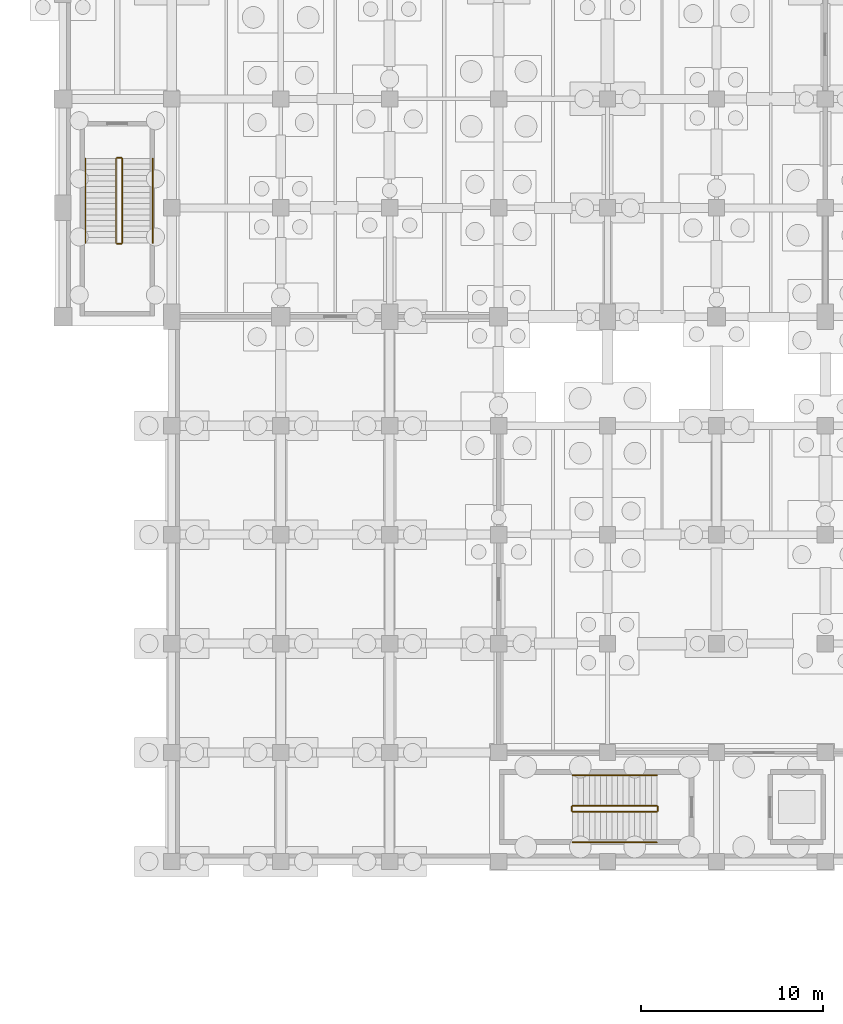
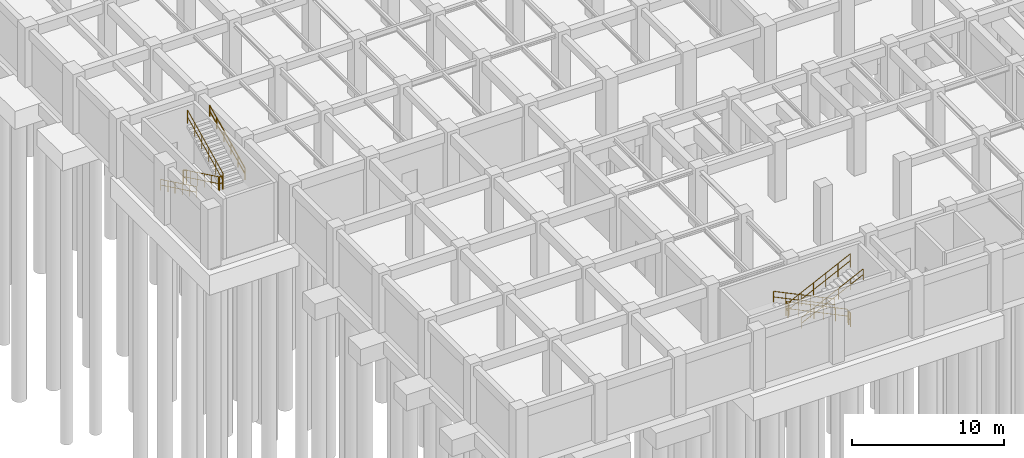
# One storey, part 48 of 54: 12 railings.
"""IFC4 building model written with IfcOpenShell, lengths in metres."""

from ifc_helpers import new_model, si_unit, direction, frame, origin, origin_2d, place, context, subcontext, project, spatial, circle, extrude, material, type_object, element, save


model = new_model("IFC4")

# Units and contexts
model_context = context("Model", 3, precision=1e-05, world=origin(), true_north=direction((0.0, 1.0)))
body_context = subcontext(model_context, "Body", "Model", "MODEL_VIEW")
ifc_project = project(units=[si_unit("LENGTHUNIT", "METRE"), si_unit("AREAUNIT", "SQUARE_METRE"), si_unit("VOLUMEUNIT", "CUBIC_METRE"), si_unit("PLANEANGLEUNIT", "RADIAN"), si_unit("MASSUNIT", "GRAM", prefix="KILO"), si_unit("THERMODYNAMICTEMPERATUREUNIT", "KELVIN"), si_unit("POWERUNIT", "WATT")], contexts=[model_context])

# Site, building, storey
site_placement = place(None, origin())
site = spatial("IfcSite", under=ifc_project, at=site_placement, CompositionType="ELEMENT")
building_placement = place(site_placement, origin())
building = spatial("IfcBuilding", under=site, at=building_placement, Name="Phaisarnlok Congress Hotel", CompositionType="ELEMENT")
storey_placement = place(building_placement, frame((0.0, 0.0, -4.800048828125)))
storey = spatial("IfcBuildingStorey", under=building, at=storey_placement, Name="B01", CompositionType="ELEMENT", Elevation=-4.800048828125)

# Railings
ifc_material_1 = material(Name="Painted Galvanised Steel S275", Category="steel")
railing_type_1 = type_object("IfcRailingType", Name="RLG-STR-GUARD", PredefinedType="BALUSTRADE", material=ifc_material_1)
railing_1_placement = place(storey_placement, frame((2.929931640625, 50.719970703125, 0.150146484375)))
element("IfcRailing", 1, at=railing_1_placement, inside=storey, type_object=railing_type_1, Name="B01 ST-03 stair guard 1", PredefinedType="BALUSTRADE", context=body_context, shape_type="SweptSolid", body=[
    extrude(circle(Radius=0.02392578125, at=origin_2d()), frame((0.0, 0.0, 1.076171875), z_axis=(0.0, -0.900155664878, 0.435568340204), x_axis=(1.0, 0.0, 0.0)), (0.0, 0.0, 1.0), 5.165771484375),
    extrude(circle(Radius=0.02392578125, at=origin_2d()), frame((0.0, 0.0, 0.52587890625), z_axis=(0.0, -0.900155664878, 0.435568340204), x_axis=(1.0, 0.0, 0.0)), (0.0, 0.0, 1.0), 5.165771484375),
    extrude(circle(Radius=0.02099609375, at=origin_2d()), origin(), (0.0, 0.0, 1.0), 1.052001953125),
    extrude(circle(Radius=0.02099609375, at=origin_2d()), frame((0.0, -0.929931640625, 0.449951171875)), (0.0, 0.0, 1.0), 1.052001953125),
    extrude(circle(Radius=0.02099609375, at=origin_2d()), frame((0.0, -1.85986328125, 0.89990234375)), (0.0, 0.0, 1.0), 1.052001953125),
    extrude(circle(Radius=0.02099609375, at=origin_2d()), frame((0.0, -2.7900390625, 1.35009765625)), (0.0, 0.0, 1.0), 1.052001953125),
    extrude(circle(Radius=0.02099609375, at=origin_2d()), frame((0.0, -3.719970703125, 1.800048828125)), (0.0, 0.0, 1.0), 1.052001953125),
    extrude(circle(Radius=0.02099609375, at=origin_2d()), frame((0.0, -4.64990234375, 2.25)), (0.0, 0.0, 1.0), 1.052001953125),
])
railing_2_placement = place(storey_placement, frame((2.97998046875, 46.02001953125, 2.400146484375)))
element("IfcRailing", 2, at=railing_2_placement, inside=storey, type_object=railing_type_1, Name="B01 ST-03 stair guard 2", PredefinedType="BALUSTRADE", context=body_context, shape_type="SweptSolid", body=[
    extrude(circle(Radius=0.02392578125, at=origin_2d()), frame((0.0, 0.0, 1.076171875), z_axis=(1.0, 0.0, 0.0), x_axis=(0.0, 1.0, 0.0)), (0.0, 0.0, 1.0), 0.239990234375),
    extrude(circle(Radius=0.02392578125, at=origin_2d()), frame((0.0, 0.0, 0.52587890625), z_axis=(1.0, 0.0, 0.0), x_axis=(0.0, 1.0, 0.0)), (0.0, 0.0, 1.0), 0.239990234375),
    extrude(circle(Radius=0.02099609375, at=origin_2d()), origin(), (0.0, 0.0, 1.0), 1.052001953125),
    extrude(circle(Radius=0.02099609375, at=origin_2d()), frame((0.239990234375, 0.0, 0.0)), (0.0, 0.0, 1.0), 1.052001953125),
])
railing_3_placement = place(storey_placement, frame((3.27001953125, 46.070068359375, 2.550048828125)))
element("IfcRailing", 3, at=railing_3_placement, inside=storey, type_object=railing_type_1, Name="B01 ST-03 stair guard 3", PredefinedType="BALUSTRADE", context=body_context, shape_type="SweptSolid", body=[
    extrude(circle(Radius=0.02392578125, at=origin_2d()), frame((0.0, 0.0, 1.076171875), z_axis=(0.0, 0.900155664878, 0.435568340204), x_axis=(-1.0, 0.0, 0.0)), (0.0, 0.0, 1.0), 5.165771484375),
    extrude(circle(Radius=0.02392578125, at=origin_2d()), frame((0.0, 0.0, 0.52587890625), z_axis=(0.0, 0.900155664878, 0.435568340204), x_axis=(-1.0, 0.0, 0.0)), (0.0, 0.0, 1.0), 5.165771484375),
    extrude(circle(Radius=0.02099609375, at=origin_2d()), origin(), (0.0, 0.0, 1.0), 1.052001953125),
    extrude(circle(Radius=0.02099609375, at=origin_2d()), frame((0.0, 0.929931640625, 0.449951171875)), (0.0, 0.0, 1.0), 1.052001953125),
    extrude(circle(Radius=0.02099609375, at=origin_2d()), frame((0.0, 1.85986328125, 0.89990234375)), (0.0, 0.0, 1.0), 1.052001953125),
    extrude(circle(Radius=0.02099609375, at=origin_2d()), frame((0.0, 2.7900390625, 1.35009765625)), (0.0, 0.0, 1.0), 1.052001953125),
    extrude(circle(Radius=0.02099609375, at=origin_2d()), frame((0.0, 3.719970703125, 1.800048828125)), (0.0, 0.0, 1.0), 1.052001953125),
    extrude(circle(Radius=0.02099609375, at=origin_2d()), frame((0.0, 4.64990234375, 2.25)), (0.0, 0.0, 1.0), 1.052001953125),
])
railing_4_placement = place(storey_placement, frame((2.97998046875, 50.77001953125, 0.0)))
element("IfcRailing", 4, at=railing_4_placement, inside=storey, type_object=railing_type_1, Name="B01 ST-03 stair guard 4", PredefinedType="BALUSTRADE", context=body_context, shape_type="SweptSolid", body=[
    extrude(circle(Radius=0.02392578125, at=origin_2d()), frame((0.0, 0.0, 1.076171875), z_axis=(1.0, 0.0, 0.0), x_axis=(0.0, 1.0, 0.0)), (0.0, 0.0, 1.0), 0.239990234375),
    extrude(circle(Radius=0.02392578125, at=origin_2d()), frame((0.0, 0.0, 0.52587890625), z_axis=(1.0, 0.0, 0.0), x_axis=(0.0, 1.0, 0.0)), (0.0, 0.0, 1.0), 0.239990234375),
    extrude(circle(Radius=0.02099609375, at=origin_2d()), origin(), (0.0, 0.0, 1.0), 1.052001953125),
    extrude(circle(Radius=0.02099609375, at=origin_2d()), frame((0.239990234375, 0.0, 0.0)), (0.0, 0.0, 1.0), 1.052001953125),
])
railing_5_placement = place(storey_placement, frame((32.719970703125, 15.070068359375, 0.150146484375)))
element("IfcRailing", 5, at=railing_5_placement, inside=storey, type_object=railing_type_1, Name="B01 ST-08 stair guard 1", PredefinedType="BALUSTRADE", context=body_context, shape_type="SweptSolid", body=[
    extrude(circle(Radius=0.02392578125, at=origin_2d()), frame((0.0, 0.0, 1.076171875), z_axis=(-0.900155664878, 0.0, 0.435568340204), x_axis=(0.0, -1.0, 0.0)), (0.0, 0.0, 1.0), 5.165771484375),
    extrude(circle(Radius=0.02392578125, at=origin_2d()), frame((0.0, 0.0, 0.52587890625), z_axis=(-0.900155664878, 0.0, 0.435568340204), x_axis=(0.0, -1.0, 0.0)), (0.0, 0.0, 1.0), 5.165771484375),
    extrude(circle(Radius=0.02099609375, at=origin_2d()), origin(), (0.0, 0.0, 1.0), 1.052001953125),
    extrude(circle(Radius=0.02099609375, at=origin_2d()), frame((-0.929931640625, 0.0, 0.449951171875)), (0.0, 0.0, 1.0), 1.052001953125),
    extrude(circle(Radius=0.02099609375, at=origin_2d()), frame((-1.85986328125, 0.0, 0.89990234375)), (0.0, 0.0, 1.0), 1.052001953125),
    extrude(circle(Radius=0.02099609375, at=origin_2d()), frame((-2.7900390625, 0.0, 1.35009765625)), (0.0, 0.0, 1.0), 1.052001953125),
    extrude(circle(Radius=0.02099609375, at=origin_2d()), frame((-3.719970703125, 0.0, 1.800048828125)), (0.0, 0.0, 1.0), 1.052001953125),
    extrude(circle(Radius=0.02099609375, at=origin_2d()), frame((-4.64990234375, 0.0, 2.25)), (0.0, 0.0, 1.0), 1.052001953125),
])
railing_6_placement = place(storey_placement, frame((28.02001953125, 15.02001953125, 2.400146484375)))
element("IfcRailing", 6, at=railing_6_placement, inside=storey, type_object=railing_type_1, Name="B01 ST-08 stair guard 2", PredefinedType="BALUSTRADE", context=body_context, shape_type="SweptSolid", body=[
    extrude(circle(Radius=0.02392578125, at=origin_2d()), frame((0.0, 0.0, 1.076171875), z_axis=(0.0, -1.0, 0.0), x_axis=(1.0, 0.0, 0.0)), (0.0, 0.0, 1.0), 0.239990234375),
    extrude(circle(Radius=0.02392578125, at=origin_2d()), frame((0.0, 0.0, 0.52587890625), z_axis=(0.0, -1.0, 0.0), x_axis=(1.0, 0.0, 0.0)), (0.0, 0.0, 1.0), 0.239990234375),
    extrude(circle(Radius=0.02099609375, at=origin_2d()), origin(), (0.0, 0.0, 1.0), 1.052001953125),
    extrude(circle(Radius=0.02099609375, at=origin_2d()), frame((0.0, -0.239990234375, 0.0)), (0.0, 0.0, 1.0), 1.052001953125),
])
railing_7_placement = place(storey_placement, frame((28.070068359375, 14.72998046875, 2.550048828125)))
element("IfcRailing", 7, at=railing_7_placement, inside=storey, type_object=railing_type_1, Name="B01 ST-08 stair guard 3", PredefinedType="BALUSTRADE", context=body_context, shape_type="SweptSolid", body=[
    extrude(circle(Radius=0.02392578125, at=origin_2d()), frame((0.0, 0.0, 1.076171875), z_axis=(0.900155664878, 0.0, 0.435568340204), x_axis=(0.0, 1.0, 0.0)), (0.0, 0.0, 1.0), 5.165771484375),
    extrude(circle(Radius=0.02392578125, at=origin_2d()), frame((0.0, 0.0, 0.52587890625), z_axis=(0.900155664878, 0.0, 0.435568340204), x_axis=(0.0, 1.0, 0.0)), (0.0, 0.0, 1.0), 5.165771484375),
    extrude(circle(Radius=0.02099609375, at=origin_2d()), origin(), (0.0, 0.0, 1.0), 1.052001953125),
    extrude(circle(Radius=0.02099609375, at=origin_2d()), frame((0.929931640625, 0.0, 0.449951171875)), (0.0, 0.0, 1.0), 1.052001953125),
    extrude(circle(Radius=0.02099609375, at=origin_2d()), frame((1.85986328125, 0.0, 0.89990234375)), (0.0, 0.0, 1.0), 1.052001953125),
    extrude(circle(Radius=0.02099609375, at=origin_2d()), frame((2.7900390625, 0.0, 1.35009765625)), (0.0, 0.0, 1.0), 1.052001953125),
    extrude(circle(Radius=0.02099609375, at=origin_2d()), frame((3.719970703125, 0.0, 1.800048828125)), (0.0, 0.0, 1.0), 1.052001953125),
    extrude(circle(Radius=0.02099609375, at=origin_2d()), frame((4.64990234375, 0.0, 2.25)), (0.0, 0.0, 1.0), 1.052001953125),
])
railing_8_placement = place(storey_placement, frame((32.77001953125, 15.02001953125, 0.0)))
element("IfcRailing", 8, at=railing_8_placement, inside=storey, type_object=railing_type_1, Name="B01 ST-08 stair guard 4", PredefinedType="BALUSTRADE", context=body_context, shape_type="SweptSolid", body=[
    extrude(circle(Radius=0.02392578125, at=origin_2d()), frame((0.0, 0.0, 1.076171875), z_axis=(0.0, -1.0, 0.0), x_axis=(1.0, 0.0, 0.0)), (0.0, 0.0, 1.0), 0.239990234375),
    extrude(circle(Radius=0.02392578125, at=origin_2d()), frame((0.0, 0.0, 0.52587890625), z_axis=(0.0, -1.0, 0.0), x_axis=(1.0, 0.0, 0.0)), (0.0, 0.0, 1.0), 0.239990234375),
    extrude(circle(Radius=0.02099609375, at=origin_2d()), origin(), (0.0, 0.0, 1.0), 1.052001953125),
    extrude(circle(Radius=0.02099609375, at=origin_2d()), frame((0.0, -0.239990234375, 0.0)), (0.0, 0.0, 1.0), 1.052001953125),
])
ifc_material_2 = material(Name="Brushed Stainless Steel Grade 304", Category="steel")
railing_type_2 = type_object("IfcRailingType", Name="RLG-STR-HRAIL", PredefinedType="HANDRAIL", material=ifc_material_2)
railing_9_placement = place(storey_placement, frame((1.25, 50.719970703125, 0.150146484375)))
element("IfcRailing", 9, at=railing_9_placement, inside=storey, type_object=railing_type_2, Name="B01 ST-03 stair handrail 1", PredefinedType="HANDRAIL", context=body_context, shape_type="SweptSolid", body=[
    extrude(circle(Radius=0.02392578125, at=origin_2d()), frame((0.0, 0.0, 0.8759765625), z_axis=(0.0, -0.900155664878, 0.435568340204), x_axis=(1.0, 0.0, 0.0)), (0.0, 0.0, 1.0), 5.165771484375),
    extrude(circle(Radius=0.02392578125, at=origin_2d()), frame((0.0, 0.0, 0.42578125), z_axis=(0.0, -0.900155664878, 0.435568340204), x_axis=(1.0, 0.0, 0.0)), (0.0, 0.0, 1.0), 5.165771484375),
    extrude(circle(Radius=0.02099609375, at=origin_2d()), origin(), (0.0, 0.0, 1.0), 0.851806640625),
    extrude(circle(Radius=0.02099609375, at=origin_2d()), frame((0.0, -0.929931640625, 0.449951171875)), (0.0, 0.0, 1.0), 0.851806640625),
    extrude(circle(Radius=0.02099609375, at=origin_2d()), frame((0.0, -1.85986328125, 0.89990234375)), (0.0, 0.0, 1.0), 0.851806640625),
    extrude(circle(Radius=0.02099609375, at=origin_2d()), frame((0.0, -2.7900390625, 1.35009765625)), (0.0, 0.0, 1.0), 0.851806640625),
    extrude(circle(Radius=0.02099609375, at=origin_2d()), frame((0.0, -3.719970703125, 1.800048828125)), (0.0, 0.0, 1.0), 0.851806640625),
    extrude(circle(Radius=0.02099609375, at=origin_2d()), frame((0.0, -4.64990234375, 2.25)), (0.0, 0.0, 1.0), 0.851806640625),
])
railing_10_placement = place(storey_placement, frame((4.949951171875, 46.070068359375, 2.550048828125)))
element("IfcRailing", 10, at=railing_10_placement, inside=storey, type_object=railing_type_2, Name="B01 ST-03 stair handrail 2", PredefinedType="HANDRAIL", context=body_context, shape_type="SweptSolid", body=[
    extrude(circle(Radius=0.02392578125, at=origin_2d()), frame((0.0, 0.0, 0.8759765625), z_axis=(0.0, 0.900155664878, 0.435568340204), x_axis=(-1.0, 0.0, 0.0)), (0.0, 0.0, 1.0), 5.165771484375),
    extrude(circle(Radius=0.02392578125, at=origin_2d()), frame((0.0, 0.0, 0.42578125), z_axis=(0.0, 0.900155664878, 0.435568340204), x_axis=(-1.0, 0.0, 0.0)), (0.0, 0.0, 1.0), 5.165771484375),
    extrude(circle(Radius=0.02099609375, at=origin_2d()), origin(), (0.0, 0.0, 1.0), 0.851806640625),
    extrude(circle(Radius=0.02099609375, at=origin_2d()), frame((0.0, 0.929931640625, 0.449951171875)), (0.0, 0.0, 1.0), 0.851806640625),
    extrude(circle(Radius=0.02099609375, at=origin_2d()), frame((0.0, 1.85986328125, 0.89990234375)), (0.0, 0.0, 1.0), 0.851806640625),
    extrude(circle(Radius=0.02099609375, at=origin_2d()), frame((0.0, 2.7900390625, 1.35009765625)), (0.0, 0.0, 1.0), 0.851806640625),
    extrude(circle(Radius=0.02099609375, at=origin_2d()), frame((0.0, 3.719970703125, 1.800048828125)), (0.0, 0.0, 1.0), 0.851806640625),
    extrude(circle(Radius=0.02099609375, at=origin_2d()), frame((0.0, 4.64990234375, 2.25)), (0.0, 0.0, 1.0), 0.851806640625),
])
railing_11_placement = place(storey_placement, frame((32.719970703125, 16.75, 0.150146484375)))
element("IfcRailing", 11, at=railing_11_placement, inside=storey, type_object=railing_type_2, Name="B01 ST-08 stair handrail 1", PredefinedType="HANDRAIL", context=body_context, shape_type="SweptSolid", body=[
    extrude(circle(Radius=0.02392578125, at=origin_2d()), frame((0.0, 0.0, 0.8759765625), z_axis=(-0.900155664878, 0.0, 0.435568340204), x_axis=(0.0, -1.0, 0.0)), (0.0, 0.0, 1.0), 5.165771484375),
    extrude(circle(Radius=0.02392578125, at=origin_2d()), frame((0.0, 0.0, 0.42578125), z_axis=(-0.900155664878, 0.0, 0.435568340204), x_axis=(0.0, -1.0, 0.0)), (0.0, 0.0, 1.0), 5.165771484375),
    extrude(circle(Radius=0.02099609375, at=origin_2d()), origin(), (0.0, 0.0, 1.0), 0.851806640625),
    extrude(circle(Radius=0.02099609375, at=origin_2d()), frame((-0.929931640625, 0.0, 0.449951171875)), (0.0, 0.0, 1.0), 0.851806640625),
    extrude(circle(Radius=0.02099609375, at=origin_2d()), frame((-1.85986328125, 0.0, 0.89990234375)), (0.0, 0.0, 1.0), 0.851806640625),
    extrude(circle(Radius=0.02099609375, at=origin_2d()), frame((-2.7900390625, 0.0, 1.35009765625)), (0.0, 0.0, 1.0), 0.851806640625),
    extrude(circle(Radius=0.02099609375, at=origin_2d()), frame((-3.719970703125, 0.0, 1.800048828125)), (0.0, 0.0, 1.0), 0.851806640625),
    extrude(circle(Radius=0.02099609375, at=origin_2d()), frame((-4.64990234375, 0.0, 2.25)), (0.0, 0.0, 1.0), 0.851806640625),
])
railing_12_placement = place(storey_placement, frame((28.070068359375, 13.050048828125, 2.550048828125)))
element("IfcRailing", 12, at=railing_12_placement, inside=storey, type_object=railing_type_2, Name="B01 ST-08 stair handrail 2", PredefinedType="HANDRAIL", context=body_context, shape_type="SweptSolid", body=[
    extrude(circle(Radius=0.02392578125, at=origin_2d()), frame((0.0, 0.0, 0.8759765625), z_axis=(0.900155664878, 0.0, 0.435568340204), x_axis=(0.0, 1.0, 0.0)), (0.0, 0.0, 1.0), 5.165771484375),
    extrude(circle(Radius=0.02392578125, at=origin_2d()), frame((0.0, 0.0, 0.42578125), z_axis=(0.900155664878, 0.0, 0.435568340204), x_axis=(0.0, 1.0, 0.0)), (0.0, 0.0, 1.0), 5.165771484375),
    extrude(circle(Radius=0.02099609375, at=origin_2d()), origin(), (0.0, 0.0, 1.0), 0.851806640625),
    extrude(circle(Radius=0.02099609375, at=origin_2d()), frame((0.929931640625, 0.0, 0.449951171875)), (0.0, 0.0, 1.0), 0.851806640625),
    extrude(circle(Radius=0.02099609375, at=origin_2d()), frame((1.85986328125, 0.0, 0.89990234375)), (0.0, 0.0, 1.0), 0.851806640625),
    extrude(circle(Radius=0.02099609375, at=origin_2d()), frame((2.7900390625, 0.0, 1.35009765625)), (0.0, 0.0, 1.0), 0.851806640625),
    extrude(circle(Radius=0.02099609375, at=origin_2d()), frame((3.719970703125, 0.0, 1.800048828125)), (0.0, 0.0, 1.0), 0.851806640625),
    extrude(circle(Radius=0.02099609375, at=origin_2d()), frame((4.64990234375, 0.0, 2.25)), (0.0, 0.0, 1.0), 0.851806640625),
])

save(model, "model.ifc")
